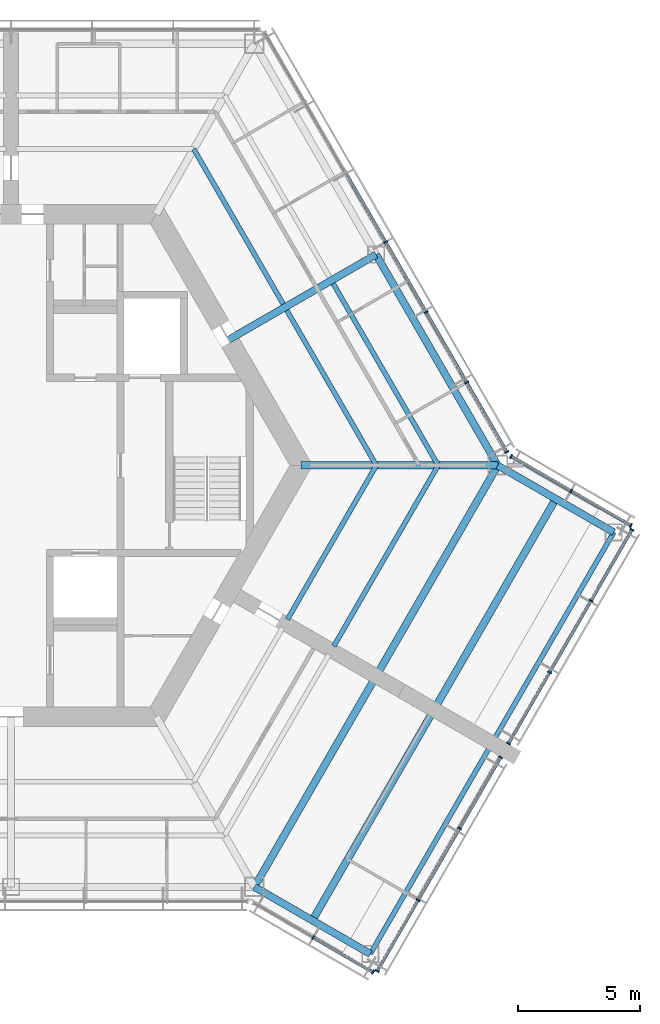
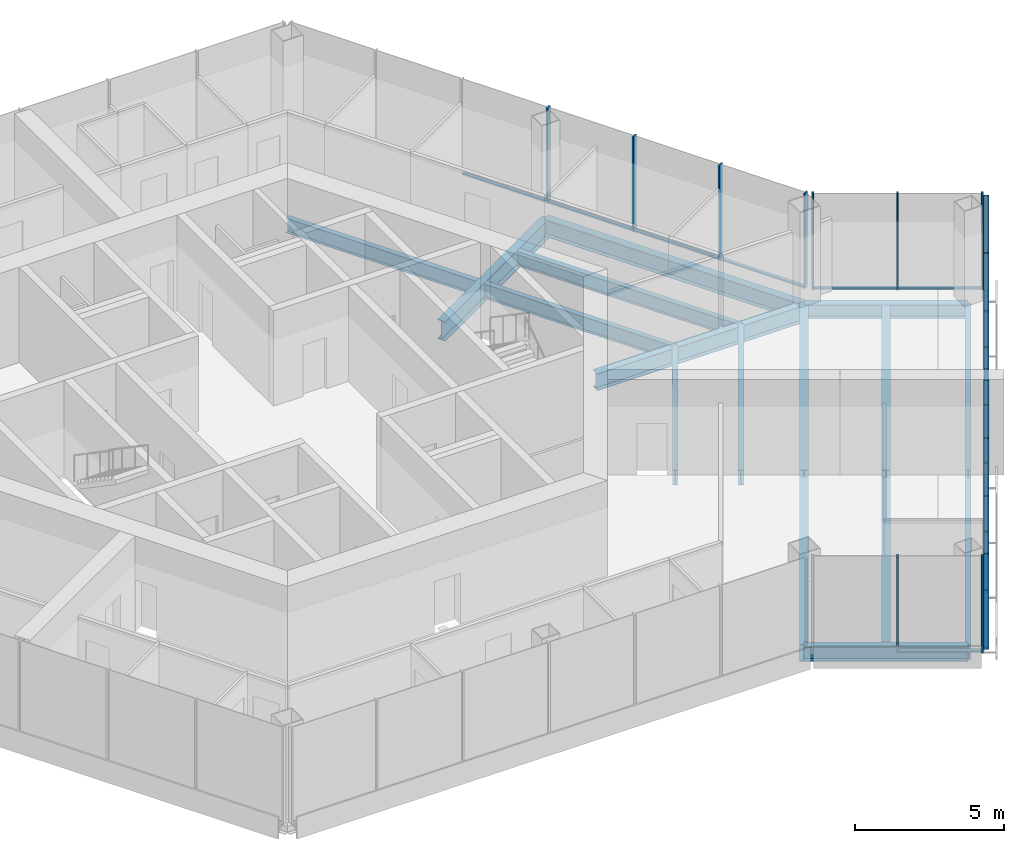
# One storey, part 4 of 13: 30 members, 16 beams, 5 elements without a shape of their own.
"""IFC4 building model written with IfcOpenShell, lengths in metres."""

from ifc_helpers import new_model, si_unit, direction, frame, origin, origin_2d, place, context, subcontext, project, spatial, rectangle, i_section, extrude, material, material_profile, profile_set, type_object, element, aggregate, save


model = new_model("IFC4")

# Units and contexts
model_context = context("Model", 3, precision=1e-05, world=origin(), true_north=direction((0.0, 1.0)))
body_context = subcontext(model_context, "Body", "Model", "MODEL_VIEW")
ifc_project = project(units=[si_unit("LENGTHUNIT", "METRE"), si_unit("AREAUNIT", "SQUARE_METRE"), si_unit("VOLUMEUNIT", "CUBIC_METRE"), si_unit("PLANEANGLEUNIT", "RADIAN"), si_unit("MASSUNIT", "GRAM", prefix="KILO")], contexts=[model_context])

# Site, building, storey
site_placement = place(None, origin())
site = spatial("IfcSite", under=ifc_project, at=site_placement, CompositionType="ELEMENT")
building_placement = place(site_placement, origin())
building = spatial("IfcBuilding", under=site, at=building_placement, Name="Kasaneha Research Tower", CompositionType="ELEMENT")
storey_placement = place(building_placement, frame((0.0, 0.0, 294.699951171875)))
storey = spatial("IfcBuildingStorey", under=building, at=storey_placement, Name="L74", CompositionType="ELEMENT", Elevation=294.699951171875)

# Beams
ifc_material_1 = material(Name="Steel SN490B", Category="steel")
ifc_material_profile_1 = material_profile(ifc_material_1, i_section(OverallWidth=0.199951171875, OverallDepth=0.60009765625, WebThickness=0.010986328125, FlangeThickness=0.01708984375, FilletRadius=0.012939453125, at=origin_2d()), Name="H-600x200x11x17")
ifc_profile_set_1 = profile_set([ifc_material_profile_1], Name="Steel SN490B")
beam_type_1 = type_object("IfcBeamType", Name="B1-3 secondary beam H-600x200x11x17", PredefinedType="JOIST", material=ifc_profile_set_1)
beam_1_placement = place(storey_placement, frame((15.010986328125, 0.0, -0.449951171875), z_axis=(-0.499994443168, 0.866028611999, 0.0), x_axis=(-0.866028611999, -0.499994443168, 0.0)))
element("IfcBeam", 1, at=beam_1_placement, inside=storey, type_object=beam_type_1, Name="Secondary beam RS030L1 L74", PredefinedType="JOIST", context=body_context, shape_type="SweptSolid", body=[
    extrude(i_section(OverallWidth=0.199951171875, OverallDepth=0.60009765625, WebThickness=0.010986328125, FlangeThickness=0.01708984375, FilletRadius=0.012939453125, at=origin_2d()), origin(), (0.0, 0.0, 1.0), 7.35546875),
])
beam_2_placement = place(storey_placement, frame((17.551513671875, 0.0, -0.449951171875), z_axis=(-0.5000050195, 0.866022505755, 0.0), x_axis=(-0.866022505755, -0.5000050195, 0.0)))
element("IfcBeam", 2, at=beam_2_placement, inside=storey, type_object=beam_type_1, Name="Secondary beam RS030L2 L74", PredefinedType="JOIST", context=body_context, shape_type="SweptSolid", body=[
    extrude(i_section(OverallWidth=0.199951171875, OverallDepth=0.60009765625, WebThickness=0.010986328125, FlangeThickness=0.01708984375, FilletRadius=0.012939453125, at=origin_2d()), origin(), (0.0, 0.0, 1.0), 8.6259765625),
])
beam_3_placement = place(storey_placement, frame((7.505615234375, 13.0, -0.449951171875), z_axis=(0.499994443168, -0.866028611999, 0.0), x_axis=(0.866028611999, 0.499994443168, 0.0)))
element("IfcBeam", 3, at=beam_3_placement, inside=storey, type_object=beam_type_1, Name="Secondary beam RS030R1 L74", PredefinedType="JOIST", context=body_context, shape_type="SweptSolid", body=[
    extrude(i_section(OverallWidth=0.199951171875, OverallDepth=0.60009765625, WebThickness=0.010986328125, FlangeThickness=0.01708984375, FilletRadius=0.012939453125, at=origin_2d()), origin(), (0.0, 0.0, 1.0), 7.35546875),
])
beam_4_placement = place(storey_placement, frame((15.010986328125, 0.0, -0.449951171875), z_axis=(-0.499974128195, -0.866040340363, 0.0), x_axis=(0.866040340363, -0.499974128195, 0.0)))
element("IfcBeam", 4, at=beam_4_placement, inside=storey, type_object=beam_type_1, Name="Secondary beam RS330R1 L74", PredefinedType="JOIST", context=body_context, shape_type="SweptSolid", body=[
    extrude(i_section(OverallWidth=0.199951171875, OverallDepth=0.60009765625, WebThickness=0.010986328125, FlangeThickness=0.01708984375, FilletRadius=0.012939453125, at=origin_2d()), origin(), (0.0, 0.0, 1.0), 7.3056640625),
])
beam_5_placement = place(storey_placement, frame((17.551513671875, 0.0, -0.449951171875), z_axis=(-0.500000102728, -0.866025344474, 0.0), x_axis=(0.866025344474, -0.500000102728, 0.0)))
element("IfcBeam", 5, at=beam_5_placement, inside=storey, type_object=beam_type_1, Name="Secondary beam RS330R2 L74", PredefinedType="JOIST", context=body_context, shape_type="SweptSolid", body=[
    extrude(i_section(OverallWidth=0.199951171875, OverallDepth=0.60009765625, WebThickness=0.010986328125, FlangeThickness=0.01708984375, FilletRadius=0.012939453125, at=origin_2d()), origin(), (0.0, 0.0, 1.0), 8.57568359375),
])
ifc_material_2 = material(Name="Steel SN490B", Category="steel")
ifc_material_profile_2 = material_profile(ifc_material_2, i_section(OverallWidth=0.300048828125, OverallDepth=0.58203125, WebThickness=0.011962890625, FlangeThickness=0.01708984375, FilletRadius=0.012939453125, at=origin_2d()), Name="H-582x300x12x17")
ifc_profile_set_2 = profile_set([ifc_material_profile_2], Name="Steel SN490B")
beam_type_2 = type_object("IfcBeamType", Name="B2-3 secondary beam H-582x300x12x17", PredefinedType="JOIST", material=ifc_profile_set_2)
for number, where, z_axis, x_axis, name in (
    (6, (12.381591796875, -18.695556640625, -0.44091796875), (0.49999201416, 0.866030014362, 0.0), (-0.866030014362, 0.49999201416, 0.0), "Secondary beam WBCP1 L74"),
    (7, (22.381591796875, -1.375, -0.44091796875), (-0.49999201416, -0.866030014362, 0.0), (0.866030014362, -0.49999201416, 0.0), "Secondary beam WBCN1 L74"),
):
    element("IfcBeam", number, at=place(storey_placement, frame(where, z_axis=z_axis, x_axis=x_axis)), inside=storey, type_object=beam_type_2, Name=name, PredefinedType="JOIST", context=body_context, shape_type="SweptSolid", body=[
        extrude(i_section(OverallWidth=0.300048828125, OverallDepth=0.58203125, WebThickness=0.011962890625, FlangeThickness=0.01708984375, FilletRadius=0.012939453125, at=origin_2d()), origin(), (0.0, 0.0, 1.0), 9.800048828125),
    ])

# Curtain wall, members
ifc_material_3 = material(Name="Glass and aluminium", Category="aluminium")
curtain_wall_type = type_object("IfcCurtainWallType", Name="Crown curtain wall", PredefinedType="USERDEFINED", material=ifc_material_3)
curtain_wall_1_placement = place(storey_placement, origin())
curtain_wall_1 = element("IfcCurtainWall", 8, at=curtain_wall_1_placement, inside=storey, type_object=curtain_wall_type, Name="CW-C L74 run 01a", ObjectType="UNITISED CURTAIN WALL", PredefinedType="USERDEFINED")
ifc_material_4 = material(Name="Aluminium 6063-T6", Category="aluminium")
ifc_material_profile_3 = material_profile(ifc_material_4, rectangle(XDim=0.06005859375, YDim=0.179931640625, at=origin_2d()), Name="CW-C mullion 60x180")
ifc_profile_set_3 = profile_set([ifc_material_profile_3], Name="Aluminium 6063-T6")
member_type_1 = type_object("IfcMemberType", Name="CW-C mullion", PredefinedType="MULLION", material=ifc_profile_set_3)
member_1_placement = place(storey_placement, frame((20.374267578125, 0.5517578125, 0.0), z_axis=(0.0, 0.0, 1.0), x_axis=(-0.499999979232, 0.866025415775, 0.0)))
member_1 = element("IfcMember", 9, at=member_1_placement, type_object=member_type_1, Name="CW-C mullion 1", PredefinedType="MULLION", context=body_context, shape_type="SweptSolid", body=[
    extrude(rectangle(XDim=0.06005859375, YDim=0.179931640625, at=origin_2d()), origin(), (0.0, 0.0, 1.0), 3.900146484375),
])
member_2_placement = place(storey_placement, frame((18.723876953125, 3.410400390625, 0.0), z_axis=(0.0, 0.0, 1.0), x_axis=(-0.499999979232, 0.866025415775, 0.0)))
member_2 = element("IfcMember", 10, at=member_2_placement, type_object=member_type_1, Name="CW-C mullion 2", PredefinedType="MULLION", context=body_context, shape_type="SweptSolid", body=[
    extrude(rectangle(XDim=0.06005859375, YDim=0.179931640625, at=origin_2d()), origin(), (0.0, 0.0, 1.0), 3.900146484375),
])
member_3_placement = place(storey_placement, frame((17.058349609375, 6.295166015625, 0.0), z_axis=(0.0, 0.0, 1.0), x_axis=(-0.499999979232, 0.866025415775, 0.0)))
member_3 = element("IfcMember", 11, at=member_3_placement, type_object=member_type_1, Name="CW-C mullion 3", PredefinedType="MULLION", context=body_context, shape_type="SweptSolid", body=[
    extrude(rectangle(XDim=0.06005859375, YDim=0.179931640625, at=origin_2d()), origin(), (0.0, 0.0, 1.0), 3.900146484375),
])
member_4_placement = place(storey_placement, frame((15.392822265625, 9.179931640625, 0.0), z_axis=(0.0, 0.0, 1.0), x_axis=(-0.499999979232, 0.866025415775, 0.0)))
member_4 = element("IfcMember", 12, at=member_4_placement, type_object=member_type_1, Name="CW-C mullion 4", PredefinedType="MULLION", context=body_context, shape_type="SweptSolid", body=[
    extrude(rectangle(XDim=0.06005859375, YDim=0.179931640625, at=origin_2d()), origin(), (0.0, 0.0, 1.0), 3.900146484375),
])

curtain_wall_2_placement = place(storey_placement, origin())
curtain_wall_2 = element("IfcCurtainWall", 13, at=curtain_wall_2_placement, inside=storey, type_object=curtain_wall_type, Name="CW-C L74 run 06a", ObjectType="UNITISED CURTAIN WALL", PredefinedType="USERDEFINED")
member_5_placement = place(storey_placement, frame((12.410888671875, -19.4052734375, 0.0), z_axis=(0.0, 0.0, 1.0), x_axis=(0.866025443395, -0.499999931393, 0.0)))
member_5 = element("IfcMember", 14, at=member_5_placement, type_object=member_type_1, Name="CW-C mullion 2", PredefinedType="MULLION", context=body_context, shape_type="SweptSolid", body=[
    extrude(rectangle(XDim=0.06005859375, YDim=0.179931640625, at=origin_2d()), origin(), (0.0, 0.0, 1.0), 3.900146484375),
])
member_6_placement = place(storey_placement, frame((14.8701171875, -20.8251953125, 0.0), z_axis=(0.0, 0.0, 1.0), x_axis=(0.866025443395, -0.499999931393, 0.0)))
member_6 = element("IfcMember", 15, at=member_6_placement, type_object=member_type_1, Name="CW-C mullion 3", PredefinedType="MULLION", context=body_context, shape_type="SweptSolid", body=[
    extrude(rectangle(XDim=0.06005859375, YDim=0.179931640625, at=origin_2d()), origin(), (0.0, 0.0, 1.0), 3.900146484375),
])

curtain_wall_3_placement = place(storey_placement, origin())
curtain_wall_3 = element("IfcCurtainWall", 16, at=curtain_wall_3_placement, inside=storey, type_object=curtain_wall_type, Name="CW-C L74 run 07a", ObjectType="UNITISED CURTAIN WALL", PredefinedType="USERDEFINED")
member_7_placement = place(storey_placement, frame((15.0478515625, -20.777587890625, 0.0), z_axis=(0.0, 0.0, 1.0), x_axis=(0.500000011442, 0.866025397178, 0.0)))
member_7 = element("IfcMember", 17, at=member_7_placement, type_object=member_type_1, Name="CW-C mullion 1", PredefinedType="MULLION", context=body_context, shape_type="SweptSolid", body=[
    extrude(rectangle(XDim=0.06005859375, YDim=0.179931640625, at=origin_2d()), origin(), (0.0, 0.0, 1.0), 3.900146484375),
])
member_8_placement = place(storey_placement, frame((16.732666015625, -17.859130859375, 0.0), z_axis=(0.0, 0.0, 1.0), x_axis=(0.500000011442, 0.866025397178, 0.0)))
member_8 = element("IfcMember", 18, at=member_8_placement, type_object=member_type_1, Name="CW-C mullion 2", PredefinedType="MULLION", context=body_context, shape_type="SweptSolid", body=[
    extrude(rectangle(XDim=0.06005859375, YDim=0.179931640625, at=origin_2d()), origin(), (0.0, 0.0, 1.0), 3.900146484375),
])
member_9_placement = place(storey_placement, frame((18.432861328125, -14.91455078125, 0.0), z_axis=(0.0, 0.0, 1.0), x_axis=(0.500000011442, 0.866025397178, 0.0)))
member_9 = element("IfcMember", 19, at=member_9_placement, type_object=member_type_1, Name="CW-C mullion 3", PredefinedType="MULLION", context=body_context, shape_type="SweptSolid", body=[
    extrude(rectangle(XDim=0.06005859375, YDim=0.179931640625, at=origin_2d()), origin(), (0.0, 0.0, 1.0), 3.900146484375),
])
member_10_placement = place(storey_placement, frame((20.11767578125, -11.99609375, 0.0), z_axis=(0.0, 0.0, 1.0), x_axis=(0.500000011442, 0.866025397178, 0.0)))
member_10 = element("IfcMember", 20, at=member_10_placement, type_object=member_type_1, Name="CW-C mullion 4", PredefinedType="MULLION", context=body_context, shape_type="SweptSolid", body=[
    extrude(rectangle(XDim=0.06005859375, YDim=0.179931640625, at=origin_2d()), origin(), (0.0, 0.0, 1.0), 3.900146484375),
])

curtain_wall_4_placement = place(storey_placement, origin())
curtain_wall_4 = element("IfcCurtainWall", 21, at=curtain_wall_4_placement, inside=storey, type_object=curtain_wall_type, Name="CW-C L74 run 08a", ObjectType="UNITISED CURTAIN WALL", PredefinedType="USERDEFINED")
member_11_placement = place(storey_placement, frame((20.44775390625, -11.424560546875, 0.0), z_axis=(0.0, 0.0, 1.0), x_axis=(0.500000011442, 0.866025397178, 0.0)))
member_11 = element("IfcMember", 22, at=member_11_placement, type_object=member_type_1, Name="CW-C mullion 1", PredefinedType="MULLION", context=body_context, shape_type="SweptSolid", body=[
    extrude(rectangle(XDim=0.06005859375, YDim=0.179931640625, at=origin_2d()), origin(), (0.0, 0.0, 1.0), 3.900146484375),
])
member_12_placement = place(storey_placement, frame((22.1328125, -8.505859375, 0.0), z_axis=(0.0, 0.0, 1.0), x_axis=(0.500000011442, 0.866025397178, 0.0)))
member_12 = element("IfcMember", 23, at=member_12_placement, type_object=member_type_1, Name="CW-C mullion 2", PredefinedType="MULLION", context=body_context, shape_type="SweptSolid", body=[
    extrude(rectangle(XDim=0.06005859375, YDim=0.179931640625, at=origin_2d()), origin(), (0.0, 0.0, 1.0), 3.900146484375),
])
member_13_placement = place(storey_placement, frame((23.832763671875, -5.5615234375, 0.0), z_axis=(0.0, 0.0, 1.0), x_axis=(0.500000011442, 0.866025397178, 0.0)))
member_13 = element("IfcMember", 24, at=member_13_placement, type_object=member_type_1, Name="CW-C mullion 3", PredefinedType="MULLION", context=body_context, shape_type="SweptSolid", body=[
    extrude(rectangle(XDim=0.06005859375, YDim=0.179931640625, at=origin_2d()), origin(), (0.0, 0.0, 1.0), 3.900146484375),
])
member_14_placement = place(storey_placement, frame((25.517822265625, -2.64306640625, 0.0), z_axis=(0.0, 0.0, 1.0), x_axis=(0.500000011442, 0.866025397178, 0.0)))
member_14 = element("IfcMember", 25, at=member_14_placement, type_object=member_type_1, Name="CW-C mullion 4", PredefinedType="MULLION", context=body_context, shape_type="SweptSolid", body=[
    extrude(rectangle(XDim=0.06005859375, YDim=0.179931640625, at=origin_2d()), origin(), (0.0, 0.0, 1.0), 3.900146484375),
])

curtain_wall_5_placement = place(storey_placement, origin())
curtain_wall_5 = element("IfcCurtainWall", 26, at=curtain_wall_5_placement, inside=storey, type_object=curtain_wall_type, Name="CW-C L74 run 09a", ObjectType="UNITISED CURTAIN WALL", PredefinedType="USERDEFINED")
member_15_placement = place(storey_placement, frame((25.47021484375, -2.46533203125, 0.0), z_axis=(0.0, 0.0, 1.0), x_axis=(-0.866025443395, 0.499999931393, 0.0)))
member_15 = element("IfcMember", 27, at=member_15_placement, type_object=member_type_1, Name="CW-C mullion 1", PredefinedType="MULLION", context=body_context, shape_type="SweptSolid", body=[
    extrude(rectangle(XDim=0.06005859375, YDim=0.179931640625, at=origin_2d()), origin(), (0.0, 0.0, 1.0), 3.900146484375),
])
member_16_placement = place(storey_placement, frame((23.010986328125, -1.045654296875, 0.0), z_axis=(0.0, 0.0, 1.0), x_axis=(-0.866025443395, 0.499999931393, 0.0)))
member_16 = element("IfcMember", 28, at=member_16_placement, type_object=member_type_1, Name="CW-C mullion 2", PredefinedType="MULLION", context=body_context, shape_type="SweptSolid", body=[
    extrude(rectangle(XDim=0.06005859375, YDim=0.179931640625, at=origin_2d()), origin(), (0.0, 0.0, 1.0), 3.900146484375),
])
member_17_placement = place(storey_placement, frame((20.5517578125, 0.374267578125, 0.0), z_axis=(0.0, 0.0, 1.0), x_axis=(-0.866025443395, 0.499999931393, 0.0)))
member_17 = element("IfcMember", 29, at=member_17_placement, type_object=member_type_1, Name="CW-C mullion 3", PredefinedType="MULLION", context=body_context, shape_type="SweptSolid", body=[
    extrude(rectangle(XDim=0.06005859375, YDim=0.179931640625, at=origin_2d()), origin(), (0.0, 0.0, 1.0), 3.900146484375),
])

# Member
ifc_material_5 = material(Name="Aluminium 6063-T6", Category="aluminium")
ifc_material_profile_4 = material_profile(ifc_material_5, rectangle(XDim=0.1298828125, YDim=0.06005859375, at=origin_2d()), Name="CW-C transom 130x60")
ifc_profile_set_4 = profile_set([ifc_material_profile_4], Name="Aluminium 6063-T6")
member_type_2 = type_object("IfcMemberType", Name="CW-C transom", PredefinedType="USERDEFINED", material=ifc_profile_set_4)
member_18_placement = place(storey_placement, frame((20.359130859375, 0.577880859375, 0.030029296875), z_axis=(-0.499987643696, 0.866032537582, 0.0), x_axis=(-0.866032537582, -0.499987643696, 0.0)))
member_18 = element("IfcMember", 30, at=member_18_placement, type_object=member_type_2, Name="CW-C transom 1", ObjectType="TRANSOM", PredefinedType="USERDEFINED", context=body_context, shape_type="SweptSolid", body=[
    extrude(rectangle(XDim=0.1298828125, YDim=0.06005859375, at=origin_2d()), origin(), (0.0, 0.0, 1.0), 3.24072265625),
])

member_19_placement = place(storey_placement, frame((18.708740234375, 3.4365234375, 0.030029296875), z_axis=(-0.500000270186, 0.866025247793, 0.0), x_axis=(-0.866025247793, -0.500000270186, 0.0)))
member_19 = element("IfcMember", 31, at=member_19_placement, type_object=member_type_2, Name="CW-C transom 2", ObjectType="TRANSOM", PredefinedType="USERDEFINED", context=body_context, shape_type="SweptSolid", body=[
    extrude(rectangle(XDim=0.1298828125, YDim=0.06005859375, at=origin_2d()), origin(), (0.0, 0.0, 1.0), 3.27099609375),
])

member_20_placement = place(storey_placement, frame((17.043212890625, 6.3212890625, 0.030029296875), z_axis=(-0.50003259116, 0.866006586452, 0.0), x_axis=(-0.866006586452, -0.50003259116, 0.0)))
member_20 = element("IfcMember", 32, at=member_20_placement, type_object=member_type_2, Name="CW-C transom 3", ObjectType="TRANSOM", PredefinedType="USERDEFINED", context=body_context, shape_type="SweptSolid", body=[
    extrude(rectangle(XDim=0.1298828125, YDim=0.06005859375, at=origin_2d()), origin(), (0.0, 0.0, 1.0), 3.270751953125),
])

member_21_placement = place(storey_placement, frame((15.3779296875, 9.205810546875, 0.030029296875), z_axis=(-0.500000270186, 0.866025247793, 0.0), x_axis=(-0.866025247793, -0.500000270186, 0.0)))
member_21 = element("IfcMember", 33, at=member_21_placement, type_object=member_type_2, Name="CW-C transom 4", ObjectType="TRANSOM", PredefinedType="USERDEFINED", context=body_context, shape_type="SweptSolid", body=[
    extrude(rectangle(XDim=0.1298828125, YDim=0.06005859375, at=origin_2d()), origin(), (0.0, 0.0, 1.0), 3.27099609375),
])

aggregate(curtain_wall_1, [member_1, member_2, member_3, member_4, member_18, member_19, member_20, member_21])

member_22_placement = place(storey_placement, frame((12.43701171875, -19.42041015625, 0.030029296875), z_axis=(0.866051024128, -0.499955621637, 0.0), x_axis=(0.499955621637, 0.866051024128, 0.0)))
member_22 = element("IfcMember", 34, at=member_22_placement, type_object=member_type_2, Name="CW-C transom 2", ObjectType="TRANSOM", PredefinedType="USERDEFINED", context=body_context, shape_type="SweptSolid", body=[
    extrude(rectangle(XDim=0.1298828125, YDim=0.06005859375, at=origin_2d()), origin(), (0.0, 0.0, 1.0), 2.779541015625),
])

aggregate(curtain_wall_2, [member_5, member_6, member_22])

member_23_placement = place(storey_placement, frame((15.062744140625, -20.75146484375, 0.030029296875), z_axis=(0.500018282537, 0.866014848099, 0.0), x_axis=(-0.866014848099, 0.500018282537, 0.0)))
member_23 = element("IfcMember", 35, at=member_23_placement, type_object=member_type_2, Name="CW-C transom 1", ObjectType="TRANSOM", PredefinedType="USERDEFINED", context=body_context, shape_type="SweptSolid", body=[
    extrude(rectangle(XDim=0.1298828125, YDim=0.06005859375, at=origin_2d()), origin(), (0.0, 0.0, 1.0), 3.31005859375),
])

member_24_placement = place(storey_placement, frame((16.747802734375, -17.8330078125, 0.030029296875), z_axis=(0.499975549825, 0.866039519639, 0.0), x_axis=(-0.866039519639, 0.499975549825, 0.0)))
member_24 = element("IfcMember", 36, at=member_24_placement, type_object=member_type_2, Name="CW-C transom 2", ObjectType="TRANSOM", PredefinedType="USERDEFINED", context=body_context, shape_type="SweptSolid", body=[
    extrude(rectangle(XDim=0.1298828125, YDim=0.06005859375, at=origin_2d()), origin(), (0.0, 0.0, 1.0), 3.340087890625),
])

member_25_placement = place(storey_placement, frame((18.44775390625, -14.888671875, 0.030029296875), z_axis=(0.49998634449, 0.866033287653, 0.0), x_axis=(-0.866033287653, 0.49998634449, 0.0)))
member_25 = element("IfcMember", 37, at=member_25_placement, type_object=member_type_2, Name="CW-C transom 3", ObjectType="TRANSOM", PredefinedType="USERDEFINED", context=body_context, shape_type="SweptSolid", body=[
    extrude(rectangle(XDim=0.1298828125, YDim=0.06005859375, at=origin_2d()), origin(), (0.0, 0.0, 1.0), 3.31005859375),
])

aggregate(curtain_wall_3, [member_7, member_8, member_9, member_10, member_23, member_24, member_25])

member_26_placement = place(storey_placement, frame((20.462646484375, -11.3984375, 0.030029296875), z_axis=(0.500018282537, 0.866014848099, 0.0), x_axis=(-0.866014848099, 0.500018282537, 0.0)))
member_26 = element("IfcMember", 38, at=member_26_placement, type_object=member_type_2, Name="CW-C transom 1", ObjectType="TRANSOM", PredefinedType="USERDEFINED", context=body_context, shape_type="SweptSolid", body=[
    extrude(rectangle(XDim=0.1298828125, YDim=0.06005859375, at=origin_2d()), origin(), (0.0, 0.0, 1.0), 3.31005859375),
])

member_27_placement = place(storey_placement, frame((22.147705078125, -8.47998046875, 0.030029296875), z_axis=(0.500030370488, 0.866007868665, 0.0), x_axis=(-0.866007868665, 0.500030370488, 0.0)))
member_27 = element("IfcMember", 39, at=member_27_placement, type_object=member_type_2, Name="CW-C transom 2", ObjectType="TRANSOM", PredefinedType="USERDEFINED", context=body_context, shape_type="SweptSolid", body=[
    extrude(rectangle(XDim=0.1298828125, YDim=0.06005859375, at=origin_2d()), origin(), (0.0, 0.0, 1.0), 3.340087890625),
])

member_28_placement = place(storey_placement, frame((23.84765625, -5.535400390625, 0.030029296875), z_axis=(0.500018282537, 0.866014848099, 0.0), x_axis=(-0.866014848099, 0.500018282537, 0.0)))
member_28 = element("IfcMember", 40, at=member_28_placement, type_object=member_type_2, Name="CW-C transom 3", ObjectType="TRANSOM", PredefinedType="USERDEFINED", context=body_context, shape_type="SweptSolid", body=[
    extrude(rectangle(XDim=0.1298828125, YDim=0.06005859375, at=origin_2d()), origin(), (0.0, 0.0, 1.0), 3.31005859375),
])

aggregate(curtain_wall_4, [member_11, member_12, member_13, member_14, member_26, member_27, member_28])

member_29_placement = place(storey_placement, frame((25.444091796875, -2.450439453125, 0.030029296875), z_axis=(-0.866012991964, 0.500021497287, 0.0), x_axis=(-0.500021497287, -0.866012991964, 0.0)))
member_29 = element("IfcMember", 41, at=member_29_placement, type_object=member_type_2, Name="CW-C transom 1", ObjectType="TRANSOM", PredefinedType="USERDEFINED", context=body_context, shape_type="SweptSolid", body=[
    extrude(rectangle(XDim=0.1298828125, YDim=0.06005859375, at=origin_2d()), origin(), (0.0, 0.0, 1.0), 2.77978515625),
])

member_30_placement = place(storey_placement, frame((22.985107421875, -1.030517578125, 0.030029296875), z_axis=(-0.866051024128, 0.499955621637, 0.0), x_axis=(-0.499955621637, -0.866051024128, 0.0)))
member_30 = element("IfcMember", 42, at=member_30_placement, type_object=member_type_2, Name="CW-C transom 2", ObjectType="TRANSOM", PredefinedType="USERDEFINED", context=body_context, shape_type="SweptSolid", body=[
    extrude(rectangle(XDim=0.1298828125, YDim=0.06005859375, at=origin_2d()), origin(), (0.0, 0.0, 1.0), 2.779541015625),
])

aggregate(curtain_wall_5, [member_15, member_16, member_17, member_29, member_30])

# Beams
ifc_material_6 = material(Name="Steel SN490B", Category="steel")
ifc_material_profile_5 = material_profile(ifc_material_6, i_section(OverallWidth=0.300048828125, OverallDepth=0.699951171875, WebThickness=0.012939453125, FlangeThickness=0.02392578125, FilletRadius=0.01806640625, at=origin_2d()), Name="H-700x300x13x24")
ifc_profile_set_5 = profile_set([ifc_material_profile_5], Name="Steel SN490B")
beam_type_3 = type_object("IfcBeamType", Name="G1-3 radial girder H-700x300x13x24", PredefinedType="BEAM", material=ifc_profile_set_5)
beam_6_placement = place(storey_placement, frame((11.92236328125, 0.0, -0.5), z_axis=(1.0, 0.0, 0.0), x_axis=(0.0, 1.0, 0.0)))
element("IfcBeam", 43, at=beam_6_placement, inside=storey, type_object=beam_type_3, Name="Radial girder RV000 L74", PredefinedType="BEAM", context=body_context, shape_type="SweptSolid", body=[
    extrude(i_section(OverallWidth=0.300048828125, OverallDepth=0.699951171875, WebThickness=0.012939453125, FlangeThickness=0.02392578125, FilletRadius=0.01806640625, at=origin_2d()), origin(), (0.0, 0.0, 1.0), 8.07763671875),
])
ifc_material_7 = material(Name="Steel SN490B", Category="steel")
ifc_material_profile_6 = material_profile(ifc_material_7, i_section(OverallWidth=0.300048828125, OverallDepth=0.800048828125, WebThickness=0.013916015625, FlangeThickness=0.02587890625, FilletRadius=0.01806640625, at=origin_2d()), Name="H-800x300x14x26")
ifc_profile_set_6 = profile_set([ifc_material_profile_6], Name="Steel SN490B")
beam_type_4 = type_object("IfcBeamType", Name="G2-3 radial girder H-800x300x14x26", PredefinedType="BEAM", material=ifc_profile_set_6)
beam_7_placement = place(storey_placement, frame((8.941650390625, 5.16259765625, -0.550048828125), z_axis=(0.866039713508, 0.499975214012, 0.0), x_axis=(-0.499975214012, 0.866039713508, 0.0)))
element("IfcBeam", 44, at=beam_7_placement, inside=storey, type_object=beam_type_4, Name="Radial girder RM030 L74", PredefinedType="BEAM", context=body_context, shape_type="SweptSolid", body=[
    extrude(i_section(OverallWidth=0.300048828125, OverallDepth=0.800048828125, WebThickness=0.013916015625, FlangeThickness=0.02587890625, FilletRadius=0.01806640625, at=origin_2d()), origin(), (0.0, 0.0, 1.0), 6.995361328125),
])
ifc_material_8 = material(Name="Steel SN490B", Category="steel")
ifc_material_profile_7 = material_profile(ifc_material_8, i_section(OverallWidth=0.300048828125, OverallDepth=0.69189453125, WebThickness=0.012939453125, FlangeThickness=0.02001953125, FilletRadius=0.01806640625, at=origin_2d()), Name="H-692x300x13x20")
ifc_profile_set_7 = profile_set([ifc_material_profile_7], Name="Steel SN490B")
beam_type_5 = type_object("IfcBeamType", Name="G3-3 plate edge girder H-692x300x13x20", PredefinedType="BEAM", material=ifc_profile_set_7)
for number, where, z_axis, x_axis, name in (
    (45, (10.0, -17.320556640625, -0.495849609375), (0.49999201416, 0.866030014362, 0.0), (-0.866030014362, 0.49999201416, 0.0), "Plate edge girder PECP L74"),
    (46, (20.0, 0.0, -0.495849609375), (-0.49999201416, -0.866030014362, 0.0), (0.866030014362, -0.49999201416, 0.0), "Plate edge girder PECN L74"),
):
    element("IfcBeam", number, at=place(storey_placement, frame(where, z_axis=z_axis, x_axis=x_axis)), inside=storey, type_object=beam_type_5, Name=name, PredefinedType="BEAM", context=body_context, shape_type="SweptSolid", body=[
        extrude(i_section(OverallWidth=0.300048828125, OverallDepth=0.69189453125, WebThickness=0.012939453125, FlangeThickness=0.02001953125, FilletRadius=0.01806640625, at=origin_2d()), origin(), (0.0, 0.0, 1.0), 9.800048828125),
    ])
ifc_material_9 = material(Name="Steel SN490B", Category="steel")
ifc_material_profile_8 = material_profile(ifc_material_9, i_section(OverallWidth=0.300048828125, OverallDepth=0.69189453125, WebThickness=0.012939453125, FlangeThickness=0.02001953125, FilletRadius=0.01806640625, at=origin_2d()), Name="H-692x300x13x20")
ifc_profile_set_8 = profile_set([ifc_material_profile_8], Name="Steel SN490B")
beam_type_6 = type_object("IfcBeamType", Name="SB1-3 spandrel beam H-692x300x13x20", PredefinedType="SPANDREL", material=ifc_profile_set_8)
beam_8_placement = place(storey_placement, frame((20.0, 0.0, -0.495849609375), z_axis=(-0.500004234368, 0.866022959057, 0.0), x_axis=(-0.866022959057, -0.500004234368, 0.0)))
element("IfcBeam", 47, at=beam_8_placement, inside=storey, type_object=beam_type_6, Name="Spandrel beam SR030L L74", PredefinedType="SPANDREL", context=body_context, shape_type="SweptSolid", body=[
    extrude(i_section(OverallWidth=0.300048828125, OverallDepth=0.69189453125, WebThickness=0.012939453125, FlangeThickness=0.02001953125, FilletRadius=0.01806640625, at=origin_2d()), origin(), (0.0, 0.0, 1.0), 10.0),
])
ifc_material_10 = material(Name="Steel SN490B", Category="steel")
ifc_material_profile_9 = material_profile(ifc_material_10, i_section(OverallWidth=0.300048828125, OverallDepth=0.58203125, WebThickness=0.011962890625, FlangeThickness=0.01708984375, FilletRadius=0.012939453125, at=origin_2d()), Name="H-582x300x12x17")
ifc_profile_set_9 = profile_set([ifc_material_profile_9], Name="Steel SN490B")
beam_type_7 = type_object("IfcBeamType", Name="SB2-3 spandrel beam H-582x300x12x17", PredefinedType="SPANDREL", material=ifc_profile_set_9)
for number, where, z_axis, x_axis, name in (
    (48, (10.0, -17.320556640625, -0.44091796875), (0.866027397988, -0.499996545922, 0.0), (0.499996545922, 0.866027397988, 0.0), "Spandrel beam WSCP1 L74"),
    (49, (20.0, 0.0, -0.44091796875), (0.866027397988, -0.499996545922, 0.0), (0.499996545922, 0.866027397988, 0.0), "Spandrel beam WSCN1 L74"),
):
    element("IfcBeam", number, at=place(storey_placement, frame(where, z_axis=z_axis, x_axis=x_axis)), inside=storey, type_object=beam_type_7, Name=name, PredefinedType="SPANDREL", context=body_context, shape_type="SweptSolid", body=[
        extrude(i_section(OverallWidth=0.300048828125, OverallDepth=0.58203125, WebThickness=0.011962890625, FlangeThickness=0.01708984375, FilletRadius=0.012939453125, at=origin_2d()), origin(), (0.0, 0.0, 1.0), 5.5),
    ])
ifc_material_11 = material(Name="Steel SN490B", Category="steel")
ifc_material_profile_10 = material_profile(ifc_material_11, i_section(OverallWidth=0.199951171875, OverallDepth=0.60009765625, WebThickness=0.010986328125, FlangeThickness=0.01708984375, FilletRadius=0.012939453125, at=origin_2d()), Name="H-600x200x11x17")
ifc_profile_set_10 = profile_set([ifc_material_profile_10], Name="Steel SN490B")
beam_type_8 = type_object("IfcBeamType", Name="SB3-3 spandrel beam H-600x200x11x17", PredefinedType="SPANDREL", material=ifc_profile_set_10)
for number, where, z_axis, x_axis, name in (
    (50, (14.76318359375, -20.070556640625, -0.449951171875), (0.49999201416, 0.866030014362, 0.0), (-0.866030014362, 0.49999201416, 0.0), "Spandrel beam WTCP L74"),
    (51, (24.76318359375, -2.75, -0.449951171875), (-0.500010698315, -0.866019227021, 0.0), (0.866019227021, -0.500010698315, 0.0), "Spandrel beam WTCN L74"),
):
    element("IfcBeam", number, at=place(storey_placement, frame(where, z_axis=z_axis, x_axis=x_axis)), inside=storey, type_object=beam_type_8, Name=name, PredefinedType="SPANDREL", context=body_context, shape_type="SweptSolid", body=[
        extrude(i_section(OverallWidth=0.199951171875, OverallDepth=0.60009765625, WebThickness=0.010986328125, FlangeThickness=0.01708984375, FilletRadius=0.012939453125, at=origin_2d()), origin(), (0.0, 0.0, 1.0), 9.800048828125),
    ])

save(model, "model.ifc")
